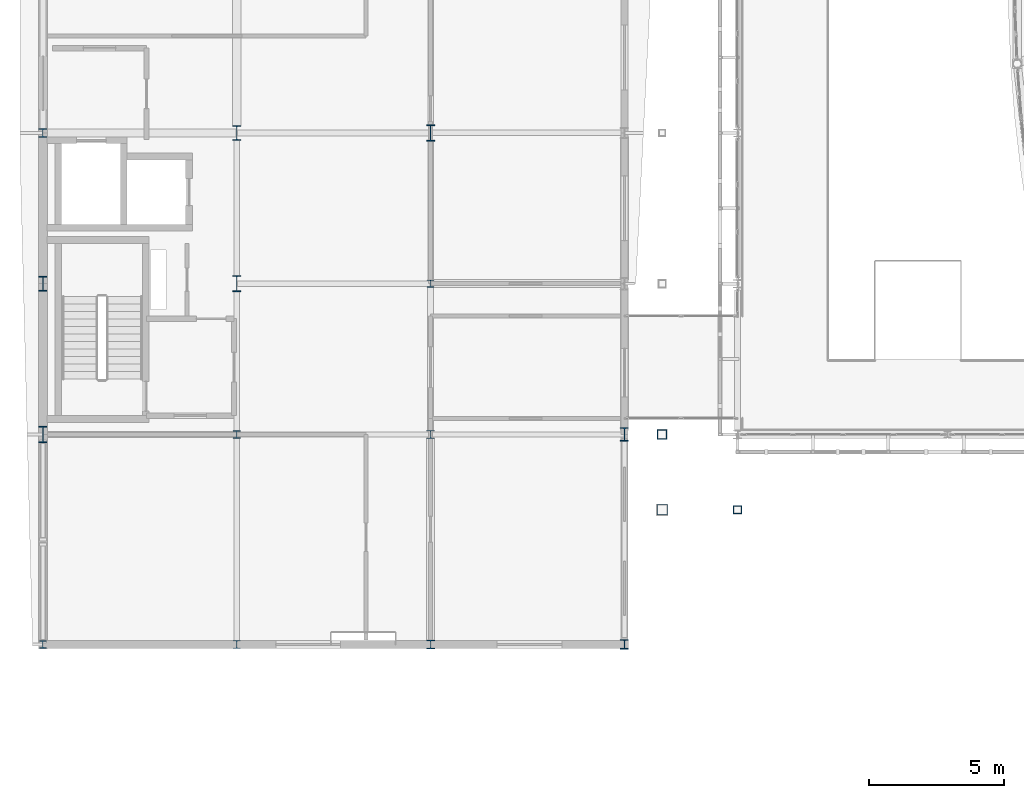
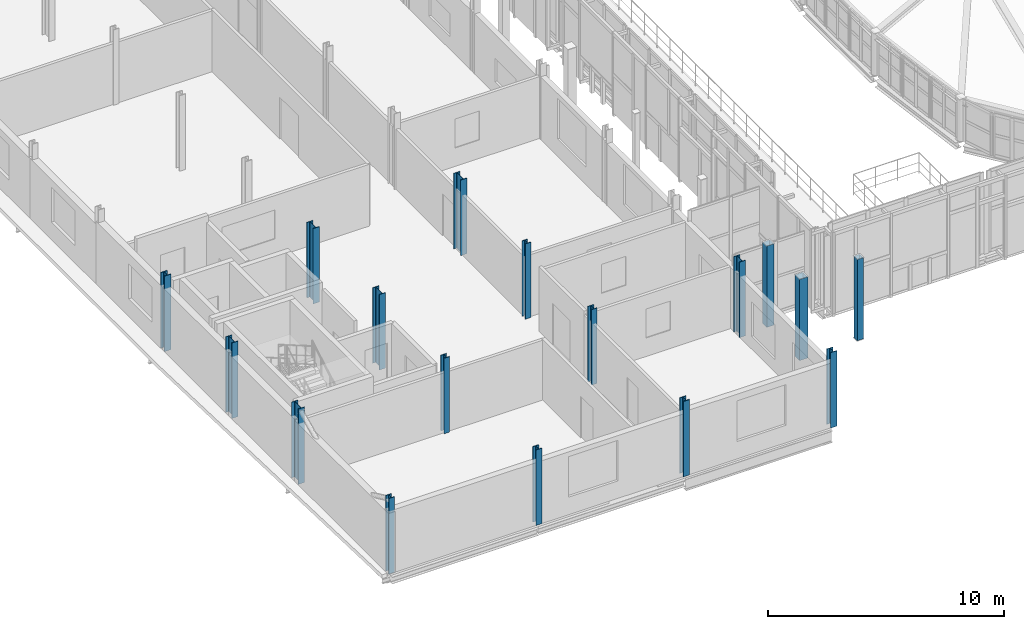
# One storey, part 1 of 78: 17 columns.
"""IFC4 building model written with IfcOpenShell, lengths in metres."""

from ifc_helpers import new_model, si_unit, direction, frame, origin, origin_2d, place, context, subcontext, project, spatial, hollow_rectangle, i_section, extrude, material, material_profile, profile_set, type_object, element, save


model = new_model("IFC4")

# Units and contexts
model_context = context("Model", 3, precision=1e-05, world=origin(), true_north=direction((0.0, 1.0)))
body_context = subcontext(model_context, "Body", "Model", "MODEL_VIEW")
ifc_project = project(units=[si_unit("LENGTHUNIT", "METRE"), si_unit("AREAUNIT", "SQUARE_METRE"), si_unit("VOLUMEUNIT", "CUBIC_METRE"), si_unit("PLANEANGLEUNIT", "RADIAN"), si_unit("MASSUNIT", "GRAM", prefix="KILO")], contexts=[model_context])

# Site, building, storey
site_placement = place(None, origin())
site = spatial("IfcSite", under=ifc_project, at=site_placement, CompositionType="ELEMENT")
building_placement = place(site_placement, origin())
building = spatial("IfcBuilding", under=site, at=building_placement, Name="Vinh Khe Railworks Police Headquarters", CompositionType="ELEMENT")
storey_placement = place(building_placement, frame((0.0, 0.0, 13.199951171875)))
storey = spatial("IfcBuildingStorey", under=building, at=storey_placement, Name="L03", CompositionType="ELEMENT", Elevation=13.199951171875)

# Columns
ifc_material = material(Name="Steel S355JR", Category="steel")
ifc_material_profile_1 = material_profile(ifc_material, i_section(OverallWidth=0.300048828125, OverallDepth=0.340087890625, WebThickness=0.011962890625, FlangeThickness=0.021484375, FilletRadius=0.027099609375, at=origin_2d()), Name="HEB 340")
ifc_profile_set_1 = profile_set([ifc_material_profile_1], Name="Steel S355JR")
column_type_1 = type_object("IfcColumnType", Name="Steel Column HEB 340", PredefinedType="COLUMN", material=ifc_profile_set_1)
column_1_placement = place(storey_placement, frame((22.199951171875, 17.39990234375, 0.0), z_axis=(0.0, 0.0, 1.0), x_axis=(1.0, 0.0, 0.0)))
element("IfcColumn", 1, at=column_1_placement, inside=storey, type_object=column_type_1, Name="Column COL-L03-SC-10-0512", PredefinedType="COLUMN", context=body_context, shape_type="SweptSolid", body=[
    extrude(i_section(OverallWidth=0.300048828125, OverallDepth=0.340087890625, WebThickness=0.011962890625, FlangeThickness=0.021484375, FilletRadius=0.027099609375, at=origin_2d()), origin(), (0.0, 0.0, 1.0), 3.900146484375),
])
ifc_material_profile_2 = material_profile(ifc_material, i_section(OverallWidth=0.300048828125, OverallDepth=0.5, WebThickness=0.014404296875, FlangeThickness=0.028076171875, FilletRadius=0.027099609375, at=origin_2d()), Name="HEB 500")
ifc_profile_set_2 = profile_set([ifc_material_profile_2], Name="Steel S355JR")
column_type_2 = type_object("IfcColumnType", Name="Steel Column HEB 500", PredefinedType="COLUMN", material=ifc_profile_set_2)
column_2_placement = place(storey_placement, frame((22.199951171875, 25.199951171875, 0.0), z_axis=(0.0, 0.0, 1.0), x_axis=(1.0, 0.0, 0.0)))
element("IfcColumn", 2, at=column_2_placement, inside=storey, type_object=column_type_2, Name="Column COL-L03-SC-06-0521", PredefinedType="COLUMN", context=body_context, shape_type="SweptSolid", body=[
    extrude(i_section(OverallWidth=0.300048828125, OverallDepth=0.5, WebThickness=0.014404296875, FlangeThickness=0.028076171875, FilletRadius=0.027099609375, at=origin_2d()), origin(), (0.0, 0.0, 1.0), 3.900146484375),
])
ifc_material_profile_3 = material_profile(ifc_material, i_section(OverallWidth=0.300048828125, OverallDepth=0.550048828125, WebThickness=0.014892578125, FlangeThickness=0.029052734375, FilletRadius=0.027099609375, at=origin_2d()), Name="HEB 550")
ifc_profile_set_3 = profile_set([ifc_material_profile_3], Name="Steel S355JR")
column_type_3 = type_object("IfcColumnType", Name="Steel Column HEB 550", PredefinedType="COLUMN", material=ifc_profile_set_3)
for number, where, z_axis, x_axis, name in (
    (3, (0.60009765625, 30.800048828125, 0.0), (0.0, 0.0, 1.0), (1.0, 0.0, 0.0), "Column COL-L03-SC-05-0031"),
    (4, (7.800048828125, 36.39990234375, 0.0), (0.0, 0.0, 1.0), (1.0, 0.0, 0.0), "Column COL-L03-SC-05-0208"),
):
    element("IfcColumn", number, at=place(storey_placement, frame(where, z_axis=z_axis, x_axis=x_axis)), inside=storey, type_object=column_type_3, Name=name, PredefinedType="COLUMN", context=body_context, shape_type="SweptSolid", body=[
        extrude(i_section(OverallWidth=0.300048828125, OverallDepth=0.550048828125, WebThickness=0.014892578125, FlangeThickness=0.029052734375, FilletRadius=0.027099609375, at=origin_2d()), origin(), (0.0, 0.0, 1.0), 3.900146484375),
    ])
ifc_material_profile_4 = material_profile(ifc_material, i_section(OverallWidth=0.300048828125, OverallDepth=0.60009765625, WebThickness=0.015380859375, FlangeThickness=0.030029296875, FilletRadius=0.027099609375, at=origin_2d()), Name="HEB 600")
ifc_profile_set_4 = profile_set([ifc_material_profile_4], Name="Steel S355JR")
column_type_4 = type_object("IfcColumnType", Name="Steel Column HEB 600", PredefinedType="COLUMN", material=ifc_profile_set_4)
for number, where, z_axis, x_axis, name in (
    (5, (0.60009765625, 25.199951171875, 0.0), (0.0, 0.0, 1.0), (1.0, 0.0, 0.0), "Column COL-L03-SC-04-0021"),
    (6, (7.800048828125, 30.800048828125, 0.0), (0.0, 0.0, 1.0), (1.0, 0.0, 0.0), "Column COL-L03-SC-04-0198"),
    (7, (15.0, 36.39990234375, 0.0), (0.0, 0.0, 1.0), (1.0, 0.0, 0.0), "Column COL-L03-SC-04-0375"),
):
    element("IfcColumn", number, at=place(storey_placement, frame(where, z_axis=z_axis, x_axis=x_axis)), inside=storey, type_object=column_type_4, Name=name, PredefinedType="COLUMN", context=body_context, shape_type="SweptSolid", body=[
        extrude(i_section(OverallWidth=0.300048828125, OverallDepth=0.60009765625, WebThickness=0.015380859375, FlangeThickness=0.030029296875, FilletRadius=0.027099609375, at=origin_2d()), origin(), (0.0, 0.0, 1.0), 3.900146484375),
    ])
ifc_material_profile_5 = material_profile(ifc_material, i_section(OverallWidth=0.26806640625, OverallDepth=0.2900390625, WebThickness=0.01806640625, FlangeThickness=0.032470703125, FilletRadius=0.02392578125, at=origin_2d()), Name="HEM 260")
ifc_profile_set_5 = profile_set([ifc_material_profile_5], Name="Steel S355JR")
column_type_5 = type_object("IfcColumnType", Name="Steel Column HEM 260", PredefinedType="COLUMN", material=ifc_profile_set_5)
for number, where, z_axis, x_axis, name in (
    (8, (0.60009765625, 17.39990234375, 0.0), (0.0, 0.0, 1.0), (1.0, 0.0, 0.0), "Column COL-L03-SC-03-0011"),
    (9, (7.800048828125, 25.199951171875, 0.0), (0.0, 0.0, 1.0), (1.0, 0.0, 0.0), "Column COL-L03-SC-03-0188"),
    (10, (15.0, 30.800048828125, 0.0), (0.0, 0.0, 1.0), (1.0, 0.0, 0.0), "Column COL-L03-SC-03-0365"),
):
    element("IfcColumn", number, at=place(storey_placement, frame(where, z_axis=z_axis, x_axis=x_axis)), inside=storey, type_object=column_type_5, Name=name, PredefinedType="COLUMN", context=body_context, shape_type="SweptSolid", body=[
        extrude(i_section(OverallWidth=0.26806640625, OverallDepth=0.2900390625, WebThickness=0.01806640625, FlangeThickness=0.032470703125, FilletRadius=0.02392578125, at=origin_2d()), origin(), (0.0, 0.0, 1.0), 3.900146484375),
    ])
ifc_material_profile_6 = material_profile(ifc_material, i_section(OverallWidth=0.2880859375, OverallDepth=0.31005859375, WebThickness=0.0185546875, FlangeThickness=0.032958984375, FilletRadius=0.02392578125, at=origin_2d()), Name="HEM 280")
ifc_profile_set_6 = profile_set([ifc_material_profile_6], Name="Steel S355JR")
column_type_6 = type_object("IfcColumnType", Name="Steel Column HEM 280", PredefinedType="COLUMN", material=ifc_profile_set_6)
for number, where, z_axis, x_axis, name in (
    (11, (7.800048828125, 17.39990234375, 0.0), (0.0, 0.0, 1.0), (1.0, 0.0, 0.0), "Column COL-L03-SC-02-0178"),
    (12, (15.0, 25.199951171875, 0.0), (0.0, 0.0, 1.0), (1.0, 0.0, 0.0), "Column COL-L03-SC-02-0355"),
):
    element("IfcColumn", number, at=place(storey_placement, frame(where, z_axis=z_axis, x_axis=x_axis)), inside=storey, type_object=column_type_6, Name=name, PredefinedType="COLUMN", context=body_context, shape_type="SweptSolid", body=[
        extrude(i_section(OverallWidth=0.2880859375, OverallDepth=0.31005859375, WebThickness=0.0185546875, FlangeThickness=0.032958984375, FilletRadius=0.02392578125, at=origin_2d()), origin(), (0.0, 0.0, 1.0), 3.900146484375),
    ])
ifc_material_profile_7 = material_profile(ifc_material, i_section(OverallWidth=0.31005859375, OverallDepth=0.340087890625, WebThickness=0.02099609375, FlangeThickness=0.0390625, FilletRadius=0.027099609375, at=origin_2d()), Name="HEM 300")
ifc_profile_set_7 = profile_set([ifc_material_profile_7], Name="Steel S355JR")
column_type_7 = type_object("IfcColumnType", Name="Steel Column HEM 300", PredefinedType="COLUMN", material=ifc_profile_set_7)
for number, where, z_axis, x_axis, name in (
    (13, (0.60009765625, 36.39990234375, 0.0), (0.0, 0.0, 1.0), (1.0, 0.0, 0.0), "Column COL-L03-SC-01-0041"),
    (14, (15.0, 17.39990234375, 0.0), (0.0, 0.0, 1.0), (1.0, 0.0, 0.0), "Column COL-L03-SC-01-0345"),
):
    element("IfcColumn", number, at=place(storey_placement, frame(where, z_axis=z_axis, x_axis=x_axis)), inside=storey, type_object=column_type_7, Name=name, PredefinedType="COLUMN", context=body_context, shape_type="SweptSolid", body=[
        extrude(i_section(OverallWidth=0.31005859375, OverallDepth=0.340087890625, WebThickness=0.02099609375, FlangeThickness=0.0390625, FilletRadius=0.027099609375, at=origin_2d()), origin(), (0.0, 0.0, 1.0), 3.900146484375),
    ])
ifc_material_profile_8 = material_profile(ifc_material, hollow_rectangle(XDim=0.300048828125, YDim=0.300048828125, WallThickness=0.01611328125, at=origin_2d()), Name="SHS 300x300x16")
ifc_profile_set_8 = profile_set([ifc_material_profile_8], Name="Steel S355JR")
column_type_8 = type_object("IfcColumnType", Name="Steel Column SHS 300x300x16", PredefinedType="COLUMN", material=ifc_profile_set_8)
column_3_placement = place(storey_placement, frame((26.39990234375, 22.39990234375, 0.0), z_axis=(0.0, 0.0, 1.0), x_axis=(1.0, 0.0, 0.0)))
element("IfcColumn", 15, at=column_3_placement, inside=storey, type_object=column_type_8, Name="Column COL-L03-SC-23-0721", PredefinedType="COLUMN", context=body_context, shape_type="SweptSolid", body=[
    extrude(hollow_rectangle(XDim=0.300048828125, YDim=0.300048828125, WallThickness=0.01611328125, at=origin_2d()), origin(), (0.0, 0.0, 1.0), 4.199951171875),
])
ifc_material_profile_9 = material_profile(ifc_material, hollow_rectangle(XDim=0.35009765625, YDim=0.35009765625, WallThickness=0.01611328125, at=origin_2d()), Name="SHS 350x350x16")
ifc_profile_set_9 = profile_set([ifc_material_profile_9], Name="Steel S355JR")
column_type_9 = type_object("IfcColumnType", Name="Steel Column SHS 350x350x16", PredefinedType="COLUMN", material=ifc_profile_set_9)
column_4_placement = place(storey_placement, frame((23.60009765625, 25.199951171875, 0.0), z_axis=(0.0, 0.0, 1.0), x_axis=(1.0, 0.0, 0.0)))
element("IfcColumn", 16, at=column_4_placement, inside=storey, type_object=column_type_9, Name="Column COL-L03-SC-22-0664", PredefinedType="COLUMN", context=body_context, shape_type="SweptSolid", body=[
    extrude(hollow_rectangle(XDim=0.35009765625, YDim=0.35009765625, WallThickness=0.01611328125, at=origin_2d()), origin(), (0.0, 0.0, 1.0), 4.199951171875),
])
ifc_material_profile_10 = material_profile(ifc_material, hollow_rectangle(XDim=0.39990234375, YDim=0.39990234375, WallThickness=0.02001953125, at=origin_2d()), Name="SHS 400x400x20")
ifc_profile_set_10 = profile_set([ifc_material_profile_10], Name="Steel S355JR")
column_type_10 = type_object("IfcColumnType", Name="Steel Column SHS 400x400x20", PredefinedType="COLUMN", material=ifc_profile_set_10)
column_5_placement = place(storey_placement, frame((23.60009765625, 22.39990234375, 0.0), z_axis=(0.0, 0.0, 1.0), x_axis=(1.0, 0.0, 0.0)))
element("IfcColumn", 17, at=column_5_placement, inside=storey, type_object=column_type_10, Name="Column COL-L03-SC-21-0659", PredefinedType="COLUMN", context=body_context, shape_type="SweptSolid", body=[
    extrude(hollow_rectangle(XDim=0.39990234375, YDim=0.39990234375, WallThickness=0.02001953125, at=origin_2d()), origin(), (0.0, 0.0, 1.0), 4.199951171875),
])

save(model, "model.ifc")
